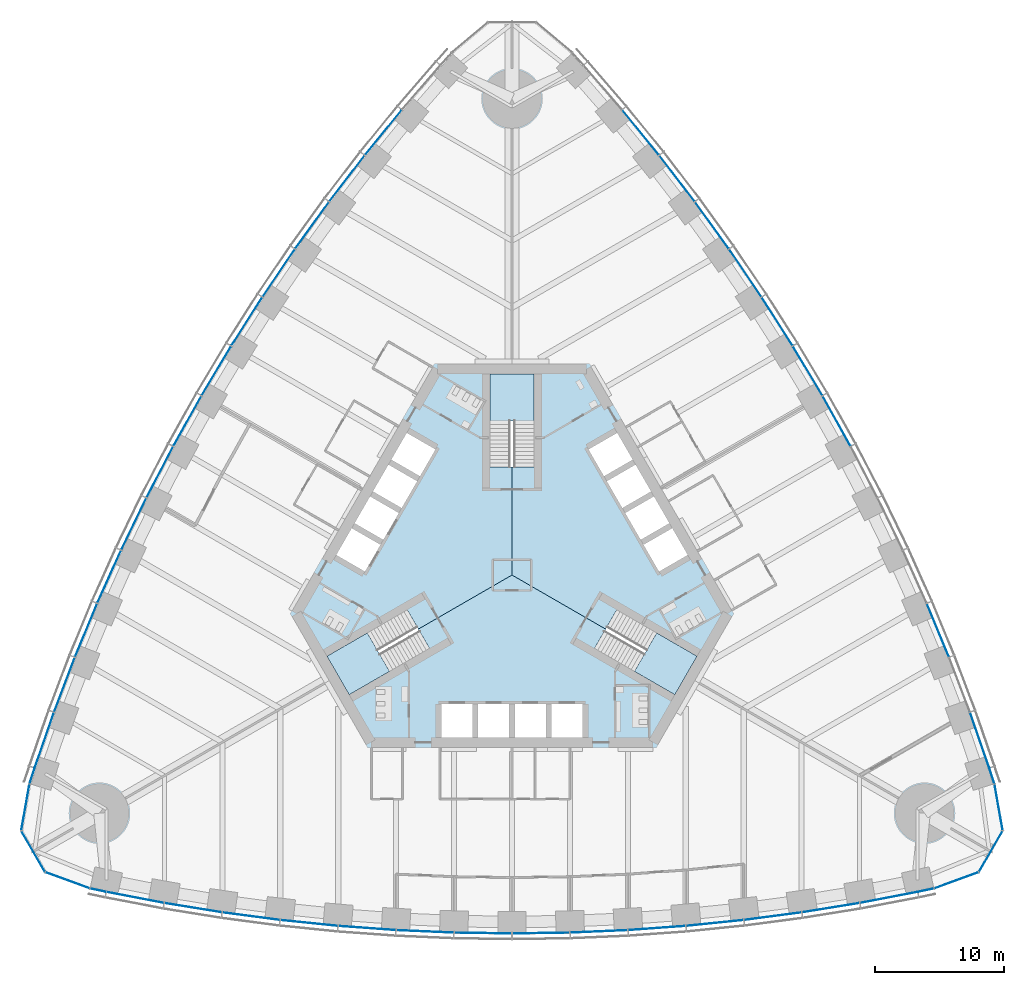
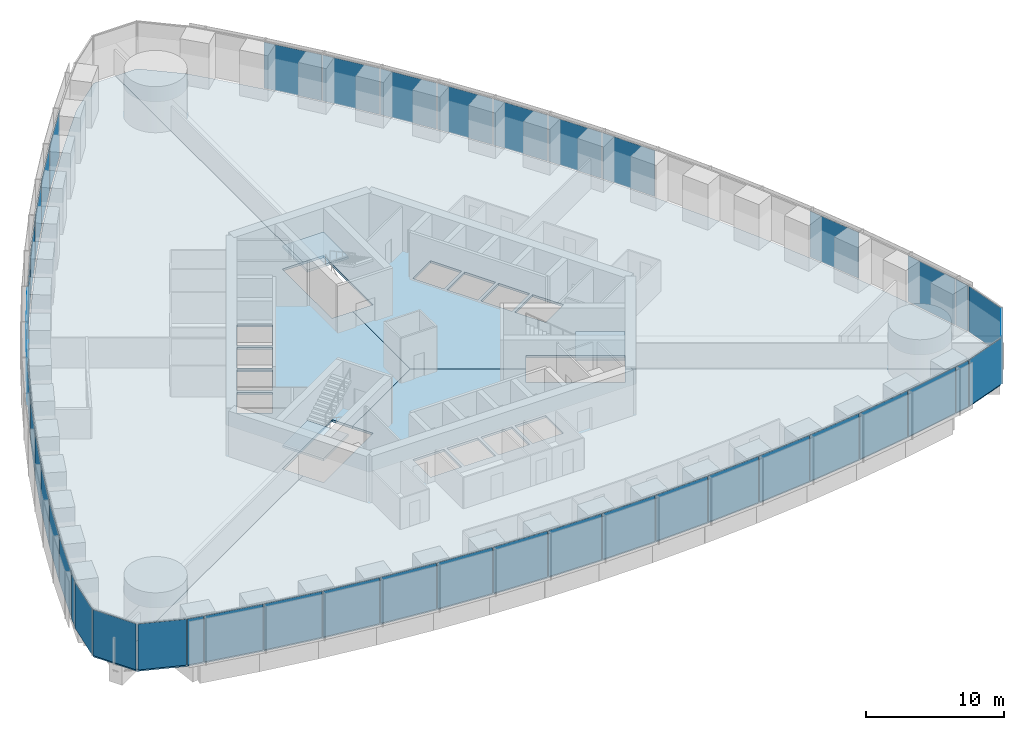
# One storey, part 8 of 18: 46 plates, 6 slabs, 8 elements without a shape of their own.
"""IFC4 building model written with IfcOpenShell, lengths in metres."""

from ifc_helpers import new_model, si_unit, direction, frame, origin, origin_2d, place, context, subcontext, project, spatial, polyline, rectangle, outline, extrude, material, layer, layer_set, type_object, element, aggregate, save


model = new_model("IFC4")

# Units and contexts
model_context = context("Model", 3, precision=1e-05, world=origin(), true_north=direction((0.0, 1.0)))
body_context = subcontext(model_context, "Body", "Model", "MODEL_VIEW")
ifc_project = project(units=[si_unit("LENGTHUNIT", "METRE"), si_unit("AREAUNIT", "SQUARE_METRE"), si_unit("VOLUMEUNIT", "CUBIC_METRE"), si_unit("PLANEANGLEUNIT", "RADIAN"), si_unit("MASSUNIT", "GRAM", prefix="KILO")], contexts=[model_context])

# Site, building, storey
site_placement = place(None, origin())
site = spatial("IfcSite", under=ifc_project, at=site_placement, CompositionType="ELEMENT")
building_placement = place(site_placement, origin())
building = spatial("IfcBuilding", under=site, at=building_placement, Name="Trefoil Bronze Tower", CompositionType="ELEMENT")
storey_placement = place(building_placement, frame((0.0, 0.0, 71.10009765625)))
storey = spatial("IfcBuildingStorey", under=building, at=storey_placement, Name="L16", CompositionType="ELEMENT", Elevation=71.10009765625)

# Curtain wall, plates
ifc_material_1 = material(Name="Tinted solar-control glass", Category="glass")
curtain_wall_type_1 = type_object("IfcCurtainWallType", Name="Bronze office curtain wall", PredefinedType="USERDEFINED", material=ifc_material_1)
curtain_wall_1_placement = place(storey_placement, origin())
curtain_wall_1 = element("IfcCurtainWall", 1, at=curtain_wall_1_placement, inside=storey, type_object=curtain_wall_type_1, Name="CW-A L16 F1", ObjectType="CURTAIN WALL", PredefinedType="USERDEFINED")
ifc_material_2 = material(Name="Tinted solar-control glass", Category="glass")
ifc_layer_1 = layer(ifc_material_2, 0.030029296875)
ifc_layer_set_1 = layer_set([ifc_layer_1], Name="Bronze office curtain wall glass panel")
plate_type_1 = type_object("IfcPlateType", Name="Bronze office curtain wall glass panel", PredefinedType="CURTAIN_PANEL", material=ifc_layer_set_1)
plate_1_placement = place(storey_placement, frame((-32.15185546875, -24.480224609375, -0.000244140625), z_axis=(0.0, 0.0, 1.0), x_axis=(0.978302717041, -0.207180582657, 0.0)))
plate_1 = element("IfcPlate", 2, at=plate_1_placement, type_object=plate_type_1, Name="CW-A L16 F1 panel 1", PredefinedType="CURTAIN_PANEL", context=body_context, shape_type="SweptSolid", body=[
    extrude(rectangle(XDim=1.21044921875, YDim=0.030029296875, at=origin_2d()), origin(), (0.0, 0.0, 1.0), 4.080078125),
])
plate_2_placement = place(storey_placement, frame((-29.268798828125, -25.04638671875, -0.000244140625), z_axis=(0.0, 0.0, 1.0), x_axis=(0.982049823817, -0.188621694249, 0.0)))
plate_2 = element("IfcPlate", 3, at=plate_2_placement, type_object=plate_type_1, Name="CW-A L16 F1 panel 2", PredefinedType="CURTAIN_PANEL", context=body_context, shape_type="SweptSolid", body=[
    extrude(rectangle(XDim=4.502197265625, YDim=0.030029296875, at=origin_2d()), origin(), (0.0, 0.0, 1.0), 4.080078125),
])
plate_3_placement = place(storey_placement, frame((-24.765869140625, -25.8427734375, -0.000244140625), z_axis=(0.0, 0.0, 1.0), x_axis=(0.987181315145, -0.159602791421, 0.0)))
plate_3 = element("IfcPlate", 4, at=plate_3_placement, type_object=plate_type_1, Name="CW-A L16 F1 panel 3", PredefinedType="CURTAIN_PANEL", context=body_context, shape_type="SweptSolid", body=[
    extrude(rectangle(XDim=4.478515625, YDim=0.030029296875, at=origin_2d()), origin(), (0.0, 0.0, 1.0), 4.080078125),
])
plate_4_placement = place(storey_placement, frame((-20.262939453125, -26.50341796875, -0.000244140625), z_axis=(0.0, 0.0, 1.0), x_axis=(0.991437251591, -0.130583981243, 0.0)))
plate_4 = element("IfcPlate", 5, at=plate_4_placement, type_object=plate_type_1, Name="CW-A L16 F1 panel 4", PredefinedType="CURTAIN_PANEL", context=body_context, shape_type="SweptSolid", body=[
    extrude(rectangle(XDim=4.458984375, YDim=0.030029296875, at=origin_2d()), origin(), (0.0, 0.0, 1.0), 4.080078125),
])
plate_5_placement = place(storey_placement, frame((-15.76025390625, -27.02978515625, -0.000244140625), z_axis=(0.0, 0.0, 1.0), x_axis=(0.994828880293, -0.101565244717, 0.0)))
plate_5 = element("IfcPlate", 6, at=plate_5_placement, type_object=plate_type_1, Name="CW-A L16 F1 panel 5", PredefinedType="CURTAIN_PANEL", context=body_context, shape_type="SweptSolid", body=[
    extrude(rectangle(XDim=4.443359375, YDim=0.030029296875, at=origin_2d()), origin(), (0.0, 0.0, 1.0), 4.080078125),
])
plate_6_placement = place(storey_placement, frame((-11.25732421875, -27.42333984375, -0.000244140625), z_axis=(0.0, 0.0, 1.0), x_axis=(0.99736502647, -0.072546564177, 0.0)))
plate_6 = element("IfcPlate", 7, at=plate_6_placement, type_object=plate_type_1, Name="CW-A L16 F1 panel 6", PredefinedType="CURTAIN_PANEL", context=body_context, shape_type="SweptSolid", body=[
    extrude(rectangle(XDim=4.431884765625, YDim=0.030029296875, at=origin_2d()), origin(), (0.0, 0.0, 1.0), 4.080078125),
])
plate_7_placement = place(storey_placement, frame((-6.75439453125, -27.685302734375, -0.000244140625), z_axis=(0.0, 0.0, 1.0), x_axis=(0.999052210809, -0.043527922969, 0.0)))
plate_7 = element("IfcPlate", 8, at=plate_7_placement, type_object=plate_type_1, Name="CW-A L16 F1 panel 7", PredefinedType="CURTAIN_PANEL", context=body_context, shape_type="SweptSolid", body=[
    extrude(rectangle(XDim=4.42431640625, YDim=0.030029296875, at=origin_2d()), origin(), (0.0, 0.0, 1.0), 4.080078125),
])
plate_8_placement = place(storey_placement, frame((-2.25146484375, -27.816162109375, -0.000244140625), z_axis=(0.0, 0.0, 1.0), x_axis=(0.999894734493, -0.014509305083, 0.0)))
plate_8 = element("IfcPlate", 9, at=plate_8_placement, type_object=plate_type_1, Name="CW-A L16 F1 panel 8", PredefinedType="CURTAIN_PANEL", context=body_context, shape_type="SweptSolid", body=[
    extrude(rectangle(XDim=4.42041015625, YDim=0.030029296875, at=origin_2d()), origin(), (0.0, 0.0, 1.0), 4.080078125),
])
plate_9_placement = place(storey_placement, frame((2.25146484375, -27.816162109375, -0.000244140625), z_axis=(0.0, 0.0, 1.0), x_axis=(0.999894734493, 0.014509305083, 0.0)))
plate_9 = element("IfcPlate", 10, at=plate_9_placement, type_object=plate_type_1, Name="CW-A L16 F1 panel 9", PredefinedType="CURTAIN_PANEL", context=body_context, shape_type="SweptSolid", body=[
    extrude(rectangle(XDim=4.42041015625, YDim=0.030029296875, at=origin_2d()), origin(), (0.0, 0.0, 1.0), 4.080078125),
])
plate_10_placement = place(storey_placement, frame((6.75439453125, -27.685302734375, -0.000244140625), z_axis=(0.0, 0.0, 1.0), x_axis=(0.999052210809, 0.043527922969, 0.0)))
plate_10 = element("IfcPlate", 11, at=plate_10_placement, type_object=plate_type_1, Name="CW-A L16 F1 panel 10", PredefinedType="CURTAIN_PANEL", context=body_context, shape_type="SweptSolid", body=[
    extrude(rectangle(XDim=4.42431640625, YDim=0.030029296875, at=origin_2d()), origin(), (0.0, 0.0, 1.0), 4.080078125),
])
plate_11_placement = place(storey_placement, frame((11.25732421875, -27.42333984375, -0.000244140625), z_axis=(0.0, 0.0, 1.0), x_axis=(0.99736502647, 0.072546564177, 0.0)))
plate_11 = element("IfcPlate", 12, at=plate_11_placement, type_object=plate_type_1, Name="CW-A L16 F1 panel 11", PredefinedType="CURTAIN_PANEL", context=body_context, shape_type="SweptSolid", body=[
    extrude(rectangle(XDim=4.431884765625, YDim=0.030029296875, at=origin_2d()), origin(), (0.0, 0.0, 1.0), 4.080078125),
])
plate_12_placement = place(storey_placement, frame((15.76025390625, -27.02978515625, -0.000244140625), z_axis=(0.0, 0.0, 1.0), x_axis=(0.994828880293, 0.101565244717, 0.0)))
plate_12 = element("IfcPlate", 13, at=plate_12_placement, type_object=plate_type_1, Name="CW-A L16 F1 panel 12", PredefinedType="CURTAIN_PANEL", context=body_context, shape_type="SweptSolid", body=[
    extrude(rectangle(XDim=4.443359375, YDim=0.030029296875, at=origin_2d()), origin(), (0.0, 0.0, 1.0), 4.080078125),
])
plate_13_placement = place(storey_placement, frame((20.262939453125, -26.50341796875, -0.000244140625), z_axis=(0.0, 0.0, 1.0), x_axis=(0.991437251591, 0.130583981243, 0.0)))
plate_13 = element("IfcPlate", 14, at=plate_13_placement, type_object=plate_type_1, Name="CW-A L16 F1 panel 13", PredefinedType="CURTAIN_PANEL", context=body_context, shape_type="SweptSolid", body=[
    extrude(rectangle(XDim=4.458984375, YDim=0.030029296875, at=origin_2d()), origin(), (0.0, 0.0, 1.0), 4.080078125),
])
plate_14_placement = place(storey_placement, frame((24.765869140625, -25.8427734375, -0.000244140625), z_axis=(0.0, 0.0, 1.0), x_axis=(0.987181315145, 0.159602791421, 0.0)))
plate_14 = element("IfcPlate", 15, at=plate_14_placement, type_object=plate_type_1, Name="CW-A L16 F1 panel 14", PredefinedType="CURTAIN_PANEL", context=body_context, shape_type="SweptSolid", body=[
    extrude(rectangle(XDim=4.478515625, YDim=0.030029296875, at=origin_2d()), origin(), (0.0, 0.0, 1.0), 4.080078125),
])
plate_15_placement = place(storey_placement, frame((29.268798828125, -25.04638671875, -0.000244140625), z_axis=(0.0, 0.0, 1.0), x_axis=(0.982049823817, 0.188621694249, 0.0)))
plate_15 = element("IfcPlate", 16, at=plate_15_placement, type_object=plate_type_1, Name="CW-A L16 F1 panel 15", PredefinedType="CURTAIN_PANEL", context=body_context, shape_type="SweptSolid", body=[
    extrude(rectangle(XDim=4.502197265625, YDim=0.030029296875, at=origin_2d()), origin(), (0.0, 0.0, 1.0), 4.080078125),
])
plate_16_placement = place(storey_placement, frame((32.15185546875, -24.480224609375, -0.000244140625), z_axis=(0.0, 0.0, 1.0), x_axis=(0.978302717041, 0.207180582657, 0.0)))
plate_16 = element("IfcPlate", 17, at=plate_16_placement, type_object=plate_type_1, Name="CW-A L16 F1 panel 16", PredefinedType="CURTAIN_PANEL", context=body_context, shape_type="SweptSolid", body=[
    extrude(rectangle(XDim=1.21044921875, YDim=0.030029296875, at=origin_2d()), origin(), (0.0, 0.0, 1.0), 4.080078125),
])
aggregate(curtain_wall_1, [plate_1, plate_2, plate_3, plate_4, plate_5, plate_6, plate_7, plate_8, plate_9, plate_10, plate_11, plate_12, plate_13, plate_14, plate_15, plate_16])

curtain_wall_2_placement = place(storey_placement, origin())
curtain_wall_2 = element("IfcCurtainWall", 18, at=curtain_wall_2_placement, inside=storey, type_object=curtain_wall_type_1, Name="CW-A L16 F2", ObjectType="CURTAIN WALL", PredefinedType="USERDEFINED")
plate_17_placement = place(storey_placement, frame((37.2763671875, -15.604248046875, -0.000244140625), z_axis=(0.0, 0.0, 1.0), x_axis=(-0.309727710769, 0.950825296877, 0.0)))
plate_17 = element("IfcPlate", 19, at=plate_17_placement, type_object=plate_type_1, Name="CW-A L16 F2 panel 1", PredefinedType="CURTAIN_PANEL", context=body_context, shape_type="SweptSolid", body=[
    extrude(rectangle(XDim=1.21044921875, YDim=0.030029296875, at=origin_2d()), origin(), (0.0, 0.0, 1.0), 4.080078125),
])
plate_18_placement = place(storey_placement, frame((36.3251953125, -12.824462890625, -0.000244140625), z_axis=(0.0, 0.0, 1.0), x_axis=(-0.327673732984, 0.944790942332, 0.0)))
plate_18 = element("IfcPlate", 20, at=plate_18_placement, type_object=plate_type_1, Name="CW-A L16 F2 panel 2", PredefinedType="CURTAIN_PANEL", context=body_context, shape_type="SweptSolid", body=[
    extrude(rectangle(XDim=4.502197265625, YDim=0.030029296875, at=origin_2d()), origin(), (0.0, 0.0, 1.0), 4.080078125),
])
plate_19_placement = place(storey_placement, frame((33.084228515625, -4.296630859375, -0.000244140625), z_axis=(0.0, 0.0, 1.0), x_axis=(-0.382629580712, 0.923901836758, 0.0)))
plate_19 = element("IfcPlate", 21, at=plate_19_placement, type_object=plate_type_1, Name="CW-A L16 F2 panel 4", PredefinedType="CURTAIN_PANEL", context=body_context, shape_type="SweptSolid", body=[
    extrude(rectangle(XDim=4.458984375, YDim=0.030029296875, at=origin_2d()), origin(), (0.0, 0.0, 1.0), 4.080078125),
])
plate_20_placement = place(storey_placement, frame((25.215087890625, 11.958251953125, -0.000244140625), z_axis=(0.0, 0.0, 1.0), x_axis=(-0.487381940453, 0.873188893722, 0.0)))
plate_20 = element("IfcPlate", 22, at=plate_20_placement, type_object=plate_type_1, Name="CW-A L16 F2 panel 8", PredefinedType="CURTAIN_PANEL", context=body_context, shape_type="SweptSolid", body=[
    extrude(rectangle(XDim=4.42041015625, YDim=0.030029296875, at=origin_2d()), origin(), (0.0, 0.0, 1.0), 4.080078125),
])
plate_21_placement = place(storey_placement, frame((22.963623046875, 15.85791015625, -0.000244140625), z_axis=(0.0, 0.0, 1.0), x_axis=(-0.51251279404, 0.858679588639, 0.0)))
plate_21 = element("IfcPlate", 23, at=plate_21_placement, type_object=plate_type_1, Name="CW-A L16 F2 panel 9", PredefinedType="CURTAIN_PANEL", context=body_context, shape_type="SweptSolid", body=[
    extrude(rectangle(XDim=4.42041015625, YDim=0.030029296875, at=origin_2d()), origin(), (0.0, 0.0, 1.0), 4.080078125),
])
plate_22_placement = place(storey_placement, frame((20.598876953125, 19.692138671875, -0.000244140625), z_axis=(0.0, 0.0, 1.0), x_axis=(-0.537222392469, 0.843440632783, 0.0)))
plate_22 = element("IfcPlate", 24, at=plate_22_placement, type_object=plate_type_1, Name="CW-A L16 F2 panel 10", PredefinedType="CURTAIN_PANEL", context=body_context, shape_type="SweptSolid", body=[
    extrude(rectangle(XDim=4.42431640625, YDim=0.030029296875, at=origin_2d()), origin(), (0.0, 0.0, 1.0), 4.080078125),
])
plate_23_placement = place(storey_placement, frame((18.120849609375, 23.460693359375, -0.000244140625), z_axis=(0.0, 0.0, 1.0), x_axis=(-0.56150968077, 0.827470167681, 0.0)))
plate_23 = element("IfcPlate", 25, at=plate_23_placement, type_object=plate_type_1, Name="CW-A L16 F2 panel 11", PredefinedType="CURTAIN_PANEL", context=body_context, shape_type="SweptSolid", body=[
    extrude(rectangle(XDim=4.431884765625, YDim=0.030029296875, at=origin_2d()), origin(), (0.0, 0.0, 1.0), 4.080078125),
])
plate_24_placement = place(storey_placement, frame((15.5283203125, 27.16357421875, -0.000244140625), z_axis=(0.0, 0.0, 1.0), x_axis=(-0.585372522213, 0.810764460394, 0.0)))
plate_24 = element("IfcPlate", 26, at=plate_24_placement, type_object=plate_type_1, Name="CW-A L16 F2 panel 12", PredefinedType="CURTAIN_PANEL", context=body_context, shape_type="SweptSolid", body=[
    extrude(rectangle(XDim=4.443359375, YDim=0.030029296875, at=origin_2d()), origin(), (0.0, 0.0, 1.0), 4.080078125),
])
plate_25_placement = place(storey_placement, frame((12.821044921875, 30.800048828125, -0.000244140625), z_axis=(0.0, 0.0, 1.0), x_axis=(-0.608807670879, 0.793317855515, 0.0)))
plate_25 = element("IfcPlate", 27, at=plate_25_placement, type_object=plate_type_1, Name="CW-A L16 F2 panel 13", PredefinedType="CURTAIN_PANEL", context=body_context, shape_type="SweptSolid", body=[
    extrude(rectangle(XDim=4.458984375, YDim=0.030029296875, at=origin_2d()), origin(), (0.0, 0.0, 1.0), 4.080078125),
])
plate_26_placement = place(storey_placement, frame((9.99755859375, 34.369384765625, -0.000244140625), z_axis=(0.0, 0.0, 1.0), x_axis=(-0.631810729457, 0.775122701346, 0.0)))
plate_26 = element("IfcPlate", 28, at=plate_26_placement, type_object=plate_type_1, Name="CW-A L16 F2 panel 14", PredefinedType="CURTAIN_PANEL", context=body_context, shape_type="SweptSolid", body=[
    extrude(rectangle(XDim=4.478515625, YDim=0.030029296875, at=origin_2d()), origin(), (0.0, 0.0, 1.0), 4.080078125),
])
aggregate(curtain_wall_2, [plate_17, plate_18, plate_19, plate_20, plate_21, plate_22, plate_23, plate_24, plate_25, plate_26])

curtain_wall_3_placement = place(storey_placement, origin())
curtain_wall_3 = element("IfcCurtainWall", 29, at=curtain_wall_3_placement, inside=storey, type_object=curtain_wall_type_1, Name="CW-A L16 F3", ObjectType="CURTAIN WALL", PredefinedType="USERDEFINED")
plate_27_placement = place(storey_placement, frame((-9.99755859375, 34.369384765625, -0.000244140625), z_axis=(0.0, 0.0, 1.0), x_axis=(-0.631810729457, -0.775122701346, 0.0)))
plate_27 = element("IfcPlate", 30, at=plate_27_placement, type_object=plate_type_1, Name="CW-A L16 F3 panel 3", PredefinedType="CURTAIN_PANEL", context=body_context, shape_type="SweptSolid", body=[
    extrude(rectangle(XDim=4.478515625, YDim=0.030029296875, at=origin_2d()), origin(), (0.0, 0.0, 1.0), 4.080078125),
])
plate_28_placement = place(storey_placement, frame((-12.821044921875, 30.800048828125, -0.000244140625), z_axis=(0.0, 0.0, 1.0), x_axis=(-0.608807670879, -0.793317855515, 0.0)))
plate_28 = element("IfcPlate", 31, at=plate_28_placement, type_object=plate_type_1, Name="CW-A L16 F3 panel 4", PredefinedType="CURTAIN_PANEL", context=body_context, shape_type="SweptSolid", body=[
    extrude(rectangle(XDim=4.458984375, YDim=0.030029296875, at=origin_2d()), origin(), (0.0, 0.0, 1.0), 4.080078125),
])
plate_29_placement = place(storey_placement, frame((-15.5283203125, 27.16357421875, -0.000244140625), z_axis=(0.0, 0.0, 1.0), x_axis=(-0.585372522213, -0.810764460394, 0.0)))
plate_29 = element("IfcPlate", 32, at=plate_29_placement, type_object=plate_type_1, Name="CW-A L16 F3 panel 5", PredefinedType="CURTAIN_PANEL", context=body_context, shape_type="SweptSolid", body=[
    extrude(rectangle(XDim=4.443359375, YDim=0.030029296875, at=origin_2d()), origin(), (0.0, 0.0, 1.0), 4.080078125),
])
plate_30_placement = place(storey_placement, frame((-18.120849609375, 23.460693359375, -0.000244140625), z_axis=(0.0, 0.0, 1.0), x_axis=(-0.56150968077, -0.827470167681, 0.0)))
plate_30 = element("IfcPlate", 33, at=plate_30_placement, type_object=plate_type_1, Name="CW-A L16 F3 panel 6", PredefinedType="CURTAIN_PANEL", context=body_context, shape_type="SweptSolid", body=[
    extrude(rectangle(XDim=4.431884765625, YDim=0.030029296875, at=origin_2d()), origin(), (0.0, 0.0, 1.0), 4.080078125),
])
plate_31_placement = place(storey_placement, frame((-20.598876953125, 19.692138671875, -0.000244140625), z_axis=(0.0, 0.0, 1.0), x_axis=(-0.537222392469, -0.843440632783, 0.0)))
plate_31 = element("IfcPlate", 34, at=plate_31_placement, type_object=plate_type_1, Name="CW-A L16 F3 panel 7", PredefinedType="CURTAIN_PANEL", context=body_context, shape_type="SweptSolid", body=[
    extrude(rectangle(XDim=4.42431640625, YDim=0.030029296875, at=origin_2d()), origin(), (0.0, 0.0, 1.0), 4.080078125),
])
plate_32_placement = place(storey_placement, frame((-22.963623046875, 15.85791015625, -0.000244140625), z_axis=(0.0, 0.0, 1.0), x_axis=(-0.51251279404, -0.858679588639, 0.0)))
plate_32 = element("IfcPlate", 35, at=plate_32_placement, type_object=plate_type_1, Name="CW-A L16 F3 panel 8", PredefinedType="CURTAIN_PANEL", context=body_context, shape_type="SweptSolid", body=[
    extrude(rectangle(XDim=4.42041015625, YDim=0.030029296875, at=origin_2d()), origin(), (0.0, 0.0, 1.0), 4.080078125),
])
plate_33_placement = place(storey_placement, frame((-25.215087890625, 11.958251953125, -0.000244140625), z_axis=(0.0, 0.0, 1.0), x_axis=(-0.487381940453, -0.873188893722, 0.0)))
plate_33 = element("IfcPlate", 36, at=plate_33_placement, type_object=plate_type_1, Name="CW-A L16 F3 panel 9", PredefinedType="CURTAIN_PANEL", context=body_context, shape_type="SweptSolid", body=[
    extrude(rectangle(XDim=4.42041015625, YDim=0.030029296875, at=origin_2d()), origin(), (0.0, 0.0, 1.0), 4.080078125),
])
plate_34_placement = place(storey_placement, frame((-27.353271484375, 7.9931640625, -0.000244140625), z_axis=(0.0, 0.0, 1.0), x_axis=(-0.46182981834, -0.886968555752, 0.0)))
plate_34 = element("IfcPlate", 37, at=plate_34_placement, type_object=plate_type_1, Name="CW-A L16 F3 panel 10", PredefinedType="CURTAIN_PANEL", context=body_context, shape_type="SweptSolid", body=[
    extrude(rectangle(XDim=4.42431640625, YDim=0.030029296875, at=origin_2d()), origin(), (0.0, 0.0, 1.0), 4.080078125),
])
plate_35_placement = place(storey_placement, frame((-29.3779296875, 3.962646484375, -0.000244140625), z_axis=(0.0, 0.0, 1.0), x_axis=(-0.4358553457, -0.900016731858, 0.0)))
plate_35 = element("IfcPlate", 38, at=plate_35_placement, type_object=plate_type_1, Name="CW-A L16 F3 panel 11", PredefinedType="CURTAIN_PANEL", context=body_context, shape_type="SweptSolid", body=[
    extrude(rectangle(XDim=4.431884765625, YDim=0.030029296875, at=origin_2d()), origin(), (0.0, 0.0, 1.0), 4.080078125),
])
plate_36_placement = place(storey_placement, frame((-31.28857421875, -0.1337890625, -0.000244140625), z_axis=(0.0, 0.0, 1.0), x_axis=(-0.40945635808, -0.912329705111, 0.0)))
plate_36 = element("IfcPlate", 39, at=plate_36_placement, type_object=plate_type_1, Name="CW-A L16 F3 panel 12", PredefinedType="CURTAIN_PANEL", context=body_context, shape_type="SweptSolid", body=[
    extrude(rectangle(XDim=4.443359375, YDim=0.030029296875, at=origin_2d()), origin(), (0.0, 0.0, 1.0), 4.080078125),
])
plate_37_placement = place(storey_placement, frame((-33.084228515625, -4.296630859375, -0.000244140625), z_axis=(0.0, 0.0, 1.0), x_axis=(-0.382629580712, -0.923901836758, 0.0)))
plate_37 = element("IfcPlate", 40, at=plate_37_placement, type_object=plate_type_1, Name="CW-A L16 F3 panel 13", PredefinedType="CURTAIN_PANEL", context=body_context, shape_type="SweptSolid", body=[
    extrude(rectangle(XDim=4.458984375, YDim=0.030029296875, at=origin_2d()), origin(), (0.0, 0.0, 1.0), 4.080078125),
])
plate_38_placement = place(storey_placement, frame((-34.763427734375, -8.526611328125, -0.000244140625), z_axis=(0.0, 0.0, 1.0), x_axis=(-0.355370585687, -0.934725492767, 0.0)))
plate_38 = element("IfcPlate", 41, at=plate_38_placement, type_object=plate_type_1, Name="CW-A L16 F3 panel 14", PredefinedType="CURTAIN_PANEL", context=body_context, shape_type="SweptSolid", body=[
    extrude(rectangle(XDim=4.478515625, YDim=0.030029296875, at=origin_2d()), origin(), (0.0, 0.0, 1.0), 4.080078125),
])
plate_39_placement = place(storey_placement, frame((-36.3251953125, -12.824462890625, -0.000244140625), z_axis=(0.0, 0.0, 1.0), x_axis=(-0.327673732984, -0.944790942332, 0.0)))
plate_39 = element("IfcPlate", 42, at=plate_39_placement, type_object=plate_type_1, Name="CW-A L16 F3 panel 15", PredefinedType="CURTAIN_PANEL", context=body_context, shape_type="SweptSolid", body=[
    extrude(rectangle(XDim=4.502197265625, YDim=0.030029296875, at=origin_2d()), origin(), (0.0, 0.0, 1.0), 4.080078125),
])
plate_40_placement = place(storey_placement, frame((-37.2763671875, -15.604248046875, -0.000244140625), z_axis=(0.0, 0.0, 1.0), x_axis=(-0.309727710769, -0.950825296877, 0.0)))
plate_40 = element("IfcPlate", 43, at=plate_40_placement, type_object=plate_type_1, Name="CW-A L16 F3 panel 16", PredefinedType="CURTAIN_PANEL", context=body_context, shape_type="SweptSolid", body=[
    extrude(rectangle(XDim=1.21044921875, YDim=0.030029296875, at=origin_2d()), origin(), (0.0, 0.0, 1.0), 4.080078125),
])
aggregate(curtain_wall_3, [plate_27, plate_28, plate_29, plate_30, plate_31, plate_32, plate_33, plate_34, plate_35, plate_36, plate_37, plate_38, plate_39, plate_40])

ifc_material_3 = material(Name="Tinted solar-control glass", Category="glass")
curtain_wall_type_2 = type_object("IfcCurtainWallType", Name="Bronze rounded corner curtain wall", PredefinedType="USERDEFINED", material=ifc_material_3)
curtain_wall_4_placement = place(storey_placement, origin())
curtain_wall_4 = element("IfcCurtainWall", 44, at=curtain_wall_4_placement, inside=storey, type_object=curtain_wall_type_2, Name="CW-B L16 K1", ObjectType="CURTAIN WALL", PredefinedType="USERDEFINED")
ifc_material_4 = material(Name="Tinted solar-control glass", Category="glass")
ifc_layer_2 = layer(ifc_material_4, 0.030029296875)
ifc_layer_set_2 = layer_set([ifc_layer_2], Name="Bronze rounded corner curtain wall glass panel")
plate_type_2 = type_object("IfcPlateType", Name="Bronze rounded corner curtain wall glass panel", PredefinedType="CURTAIN_PANEL", material=ifc_layer_set_2)
plate_41_placement = place(storey_placement, frame((34.5107421875, -23.71875, -0.000244140625), z_axis=(0.0, 0.0, 1.0), x_axis=(0.939692620786, 0.342020143326, 0.0)))
plate_41 = element("IfcPlate", 45, at=plate_41_placement, type_object=plate_type_2, Name="CW-B L16 K1 panel 1", PredefinedType="CURTAIN_PANEL", context=body_context, shape_type="SweptSolid", body=[
    extrude(rectangle(XDim=3.588134765625, YDim=0.030029296875, at=origin_2d()), origin(), (0.0, 0.0, 1.0), 4.080078125),
])
plate_42_placement = place(storey_placement, frame((37.189208984375, -21.47119140625, -0.000244140625), z_axis=(0.0, 0.0, 1.0), x_axis=(0.5, 0.866025403784, 0.0)))
plate_42 = element("IfcPlate", 46, at=plate_42_placement, type_object=plate_type_2, Name="CW-B L16 K1 panel 2", PredefinedType="CURTAIN_PANEL", context=body_context, shape_type="SweptSolid", body=[
    extrude(rectangle(XDim=3.588134765625, YDim=0.030029296875, at=origin_2d()), origin(), (0.0, 0.0, 1.0), 4.080078125),
])
plate_43_placement = place(storey_placement, frame((37.79638671875, -18.02783203125, -0.000244140625), z_axis=(0.0, 0.0, 1.0), x_axis=(-0.173648177667, 0.984807753012, 0.0)))
plate_43 = element("IfcPlate", 47, at=plate_43_placement, type_object=plate_type_2, Name="CW-B L16 K1 panel 3", PredefinedType="CURTAIN_PANEL", context=body_context, shape_type="SweptSolid", body=[
    extrude(rectangle(XDim=3.588134765625, YDim=0.030029296875, at=origin_2d()), origin(), (0.0, 0.0, 1.0), 4.080078125),
])
aggregate(curtain_wall_4, [plate_41, plate_42, plate_43])

curtain_wall_5_placement = place(storey_placement, origin())
curtain_wall_5 = element("IfcCurtainWall", 48, at=curtain_wall_5_placement, inside=storey, type_object=curtain_wall_type_2, Name="CW-B L16 K3", ObjectType="CURTAIN WALL", PredefinedType="USERDEFINED")
plate_44_placement = place(storey_placement, frame((-37.79638671875, -18.02783203125, -0.000244140625), z_axis=(0.0, 0.0, 1.0), x_axis=(-0.173648177667, -0.984807753012, 0.0)))
plate_44 = element("IfcPlate", 49, at=plate_44_placement, type_object=plate_type_2, Name="CW-B L16 K3 panel 1", PredefinedType="CURTAIN_PANEL", context=body_context, shape_type="SweptSolid", body=[
    extrude(rectangle(XDim=3.588134765625, YDim=0.030029296875, at=origin_2d()), origin(), (0.0, 0.0, 1.0), 4.080078125),
])
plate_45_placement = place(storey_placement, frame((-37.189208984375, -21.47119140625, -0.000244140625), z_axis=(0.0, 0.0, 1.0), x_axis=(0.5, -0.866025403784, 0.0)))
plate_45 = element("IfcPlate", 50, at=plate_45_placement, type_object=plate_type_2, Name="CW-B L16 K3 panel 2", PredefinedType="CURTAIN_PANEL", context=body_context, shape_type="SweptSolid", body=[
    extrude(rectangle(XDim=3.588134765625, YDim=0.030029296875, at=origin_2d()), origin(), (0.0, 0.0, 1.0), 4.080078125),
])
plate_46_placement = place(storey_placement, frame((-34.5107421875, -23.71875, -0.000244140625), z_axis=(0.0, 0.0, 1.0), x_axis=(0.939692620786, -0.342020143326, 0.0)))
plate_46 = element("IfcPlate", 51, at=plate_46_placement, type_object=plate_type_2, Name="CW-B L16 K3 panel 3", PredefinedType="CURTAIN_PANEL", context=body_context, shape_type="SweptSolid", body=[
    extrude(rectangle(XDim=3.588134765625, YDim=0.030029296875, at=origin_2d()), origin(), (0.0, 0.0, 1.0), 4.080078125),
])
aggregate(curtain_wall_5, [plate_44, plate_45, plate_46])

# Slabs
ifc_material_5 = material(Name="Concrete B30", Category="concrete")
ifc_layer_3 = layer(ifc_material_5, 0.199951171875)
ifc_layer_set_3 = layer_set([ifc_layer_3], Name="Floor slab 200")
slab_type_1 = type_object("IfcSlabType", Name="Floor slab 200", PredefinedType="FLOOR", material=ifc_layer_set_3)
slab_1_placement = place(storey_placement, frame((0.0, 0.0, -0.2001953125)))
element("IfcSlab", 52, at=slab_1_placement, inside=storey, type_object=slab_type_1, Name="Floor slab L16 face 1", PredefinedType="FLOOR", context=body_context, shape_type="SweptSolid", body=[
    extrude(outline(polyline([(27.0, -25.38037109375), (22.5, -26.10791015625), (18.0, -26.70068359375), (13.5, -27.159912109375), (9.0, -27.4873046875), (4.5, -27.683349609375), (0.0, -27.748779296875), (-4.5, -27.683349609375), (-9.0, -27.4873046875), (-13.5, -27.159912109375), (-18.0, -26.70068359375), (-22.5, -26.10791015625), (-27.0, -25.38037109375), (-31.5, -24.51611328125), (-32.762451171875, -24.248779296875), (-36.190673828125, -23.0009765625), (-37.1025390625, -21.421142578125), (-13.510009765625, -7.800048828125), (-12.6474609375, -9.2939453125), (-6.412109375, -5.69384765625), (-7.274658203125, -4.199951171875), (0.0, 0.0), (7.274658203125, -4.199951171875), (6.412109375, -5.69384765625), (12.6474609375, -9.2939453125), (13.510009765625, -7.800048828125), (37.1025390625, -21.421142578125), (36.190673828125, -23.0009765625), (32.762451171875, -24.248779296875), (31.5, -24.51611328125), (27.0, -25.38037109375)]), holes=[polyline([(-5.574951171875, -10.02490234375), (-2.97509765625, -10.02490234375), (-2.97509765625, -12.60009765625), (-5.574951171875, -12.60009765625), (-5.574951171875, -10.02490234375)]), polyline([(-2.72509765625, -10.02490234375), (-0.125, -10.02490234375), (-0.125, -12.60009765625), (-2.72509765625, -12.60009765625), (-2.72509765625, -10.02490234375)]), polyline([(0.125, -10.02490234375), (2.72509765625, -10.02490234375), (2.72509765625, -12.60009765625), (0.125, -12.60009765625), (0.125, -10.02490234375)]), polyline([(2.97509765625, -10.02490234375), (5.574951171875, -10.02490234375), (5.574951171875, -12.60009765625), (2.97509765625, -12.60009765625), (2.97509765625, -10.02490234375)])]), origin(), (0.0, 0.0, 1.0), 0.2001953125),
])
slab_2_placement = place(storey_placement, frame((0.0, 0.0, -0.2001953125)))
element("IfcSlab", 53, at=slab_2_placement, inside=storey, type_object=slab_type_1, Name="Floor slab L16 face 2", PredefinedType="FLOOR", context=body_context, shape_type="SweptSolid", body=[
    extrude(outline(polyline([(8.47998046875, 36.07275390625), (11.360107421875, 32.53955078125), (14.123291015625, 28.938720703125), (16.771240234375, 25.271240234375), (19.3046875, 21.537841796875), (21.724609375, 17.73876953125), (24.031005859375, 13.874267578125), (26.224609375, 9.944580078125), (28.3046875, 5.949462890625), (30.271240234375, 1.888671875), (32.123291015625, -2.238037109375), (33.860107421875, -6.431640625), (35.47998046875, -10.6923828125), (36.9814453125, -15.021728515625), (37.381103515625, -16.248779296875), (38.0146484375, -19.841552734375), (37.1025390625, -21.421142578125), (13.510009765625, -7.800048828125), (14.37255859375, -6.30615234375), (8.13720703125, -2.7060546875), (7.274658203125, -4.199951171875), (0.0, 0.0), (0.0, 8.39990234375), (1.72509765625, 8.39990234375), (1.72509765625, 15.60009765625), (0.0, 15.60009765625), (0.0, 42.842529296875), (1.82421875, 42.842529296875), (4.618896484375, 40.497314453125), (5.4814453125, 39.537841796875), (8.47998046875, 36.07275390625)]), holes=[polyline([(11.469482421875, 0.184326171875), (10.16943359375, 2.43603515625), (12.3994140625, 3.7236328125), (13.699462890625, 1.471923828125), (11.469482421875, 0.184326171875)]), polyline([(10.04443359375, 2.652587890625), (8.744384765625, 4.904296875), (10.974365234375, 6.191650390625), (12.2744140625, 3.940185546875), (10.04443359375, 2.652587890625)]), polyline([(8.619384765625, 5.120849609375), (7.3193359375, 7.372314453125), (9.54931640625, 8.659912109375), (10.849365234375, 6.408203125), (8.619384765625, 5.120849609375)]), polyline([(7.1943359375, 7.5888671875), (5.894287109375, 9.840576171875), (8.12451171875, 11.128173828125), (9.42431640625, 8.87646484375), (7.1943359375, 7.5888671875)])]), origin(), (0.0, 0.0, 1.0), 0.2001953125),
])
slab_3_placement = place(storey_placement, frame((0.0, 0.0, -0.2001953125)))
element("IfcSlab", 54, at=slab_3_placement, inside=storey, type_object=slab_type_1, Name="Floor slab L16 face 3", PredefinedType="FLOOR", context=body_context, shape_type="SweptSolid", body=[
    extrude(outline(polyline([(-35.47998046875, -10.6923828125), (-33.860107421875, -6.431640625), (-32.123291015625, -2.238037109375), (-30.271240234375, 1.888671875), (-28.3046875, 5.949462890625), (-26.224609375, 9.944580078125), (-24.031005859375, 13.874267578125), (-21.724609375, 17.73876953125), (-19.3046875, 21.537841796875), (-16.771240234375, 25.271240234375), (-14.123291015625, 28.938720703125), (-11.360107421875, 32.53955078125), (-8.47998046875, 36.07275390625), (-5.4814453125, 39.537841796875), (-4.618896484375, 40.497314453125), (-1.82421875, 42.842529296875), (0.0, 42.842529296875), (0.0, 15.60009765625), (-1.72509765625, 15.60009765625), (-1.72509765625, 8.39990234375), (0.0, 8.39990234375), (0.0, 0.0), (-7.274658203125, -4.199951171875), (-8.13720703125, -2.7060546875), (-14.37255859375, -6.30615234375), (-13.510009765625, -7.800048828125), (-37.1025390625, -21.421142578125), (-38.0146484375, -19.841552734375), (-37.381103515625, -16.248779296875), (-36.9814453125, -15.021728515625), (-35.47998046875, -10.6923828125)]), holes=[polyline([(-5.894287109375, 9.840576171875), (-7.1943359375, 7.5888671875), (-9.42431640625, 8.87646484375), (-8.12451171875, 11.128173828125), (-5.894287109375, 9.840576171875)]), polyline([(-7.3193359375, 7.372314453125), (-8.619384765625, 5.120849609375), (-10.849365234375, 6.408203125), (-9.54931640625, 8.659912109375), (-7.3193359375, 7.372314453125)]), polyline([(-8.744384765625, 4.904296875), (-10.04443359375, 2.652587890625), (-12.2744140625, 3.940185546875), (-10.974365234375, 6.191650390625), (-8.744384765625, 4.904296875)]), polyline([(-10.16943359375, 2.43603515625), (-11.469482421875, 0.184326171875), (-13.699462890625, 1.471923828125), (-12.3994140625, 3.7236328125), (-10.16943359375, 2.43603515625)])]), origin(), (0.0, 0.0, 1.0), 0.2001953125),
])

# Stair, slab
ifc_material_6 = material(Name="Precast concrete B80", Category="concrete")
stair_type = type_object("IfcStairType", Name="Exit stair 26 risers", PredefinedType="HALF_TURN_STAIR", material=ifc_material_6)
stair_1_placement = place(storey_placement, origin())
stair_1 = element("IfcStair", 55, at=stair_1_placement, inside=storey, type_object=stair_type, Name="Stair ST1 L16", PredefinedType="HALF_TURN_STAIR")
ifc_material_7 = material(Name="Concrete B30", Category="concrete")
ifc_layer_4 = layer(ifc_material_7, 0.199951171875)
ifc_layer_set_4 = layer_set([ifc_layer_4], Name="Stair landing 200")
slab_type_2 = type_object("IfcSlabType", Name="Stair landing 200", PredefinedType="LANDING", material=ifc_layer_set_4)
slab_4_placement = place(storey_placement, frame((0.0, 0.0, 1.89990234375)))
slab_4 = element("IfcSlab", 56, at=slab_4_placement, type_object=slab_type_2, Name="ST1 landing 1", PredefinedType="LANDING", context=body_context, shape_type="SweptSolid", body=[
    extrude(outline(polyline([(9.512451171875, -7.48388671875), (12.6474609375, -9.2939453125), (14.37255859375, -6.30615234375), (11.237548828125, -4.49609375), (9.512451171875, -7.48388671875)])), origin(), (0.0, 0.0, 1.0), 0.199951171875),
])
aggregate(stair_1, [slab_4])

stair_2_placement = place(storey_placement, origin())
stair_2 = element("IfcStair", 57, at=stair_2_placement, inside=storey, type_object=stair_type, Name="Stair ST2 L16", PredefinedType="HALF_TURN_STAIR")
slab_5_placement = place(storey_placement, frame((0.0, 0.0, 1.89990234375)))
slab_5 = element("IfcSlab", 58, at=slab_5_placement, type_object=slab_type_2, Name="ST2 landing 1", PredefinedType="LANDING", context=body_context, shape_type="SweptSolid", body=[
    extrude(outline(polyline([(1.72509765625, 11.97998046875), (1.72509765625, 15.60009765625), (-1.72509765625, 15.60009765625), (-1.72509765625, 11.97998046875), (1.72509765625, 11.97998046875)])), origin(), (0.0, 0.0, 1.0), 0.199951171875),
])
aggregate(stair_2, [slab_5])

stair_3_placement = place(storey_placement, origin())
stair_3 = element("IfcStair", 59, at=stair_3_placement, inside=storey, type_object=stair_type, Name="Stair ST3 L16", PredefinedType="HALF_TURN_STAIR")
slab_6_placement = place(storey_placement, frame((0.0, 0.0, 1.89990234375)))
slab_6 = element("IfcSlab", 60, at=slab_6_placement, type_object=slab_type_2, Name="ST3 landing 1", PredefinedType="LANDING", context=body_context, shape_type="SweptSolid", body=[
    extrude(outline(polyline([(-11.237548828125, -4.49609375), (-14.37255859375, -6.30615234375), (-12.6474609375, -9.2939453125), (-9.512451171875, -7.48388671875), (-11.237548828125, -4.49609375)])), origin(), (0.0, 0.0, 1.0), 0.199951171875),
])
aggregate(stair_3, [slab_6])

save(model, "model.ifc")
